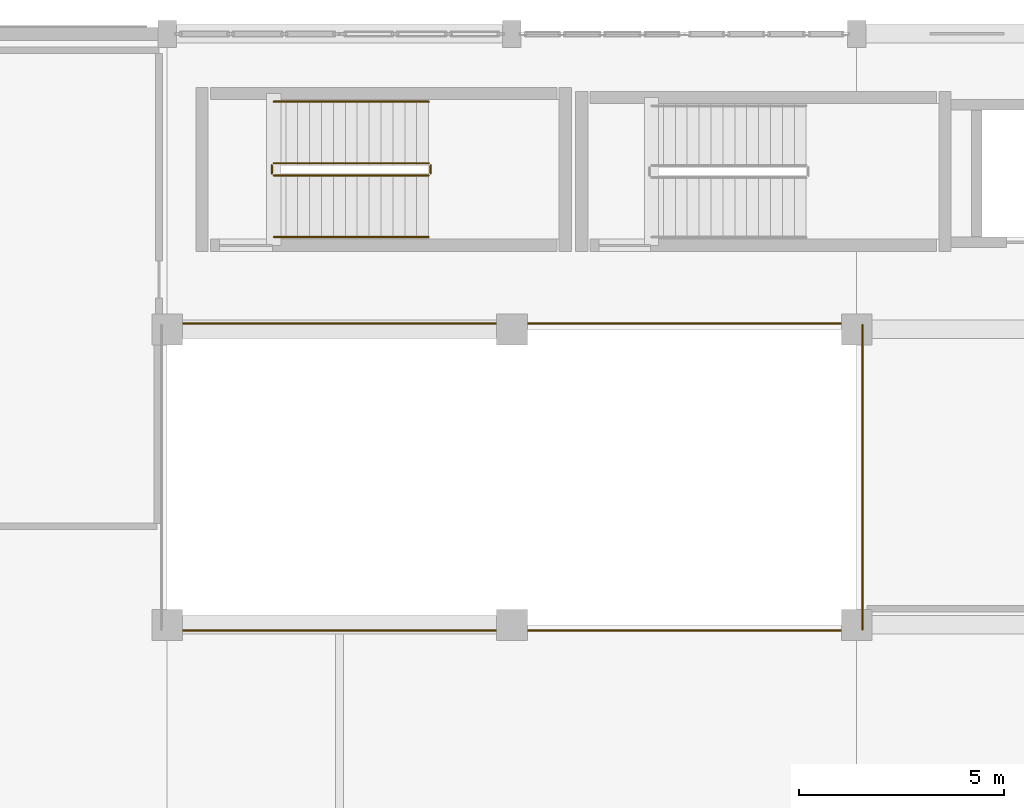
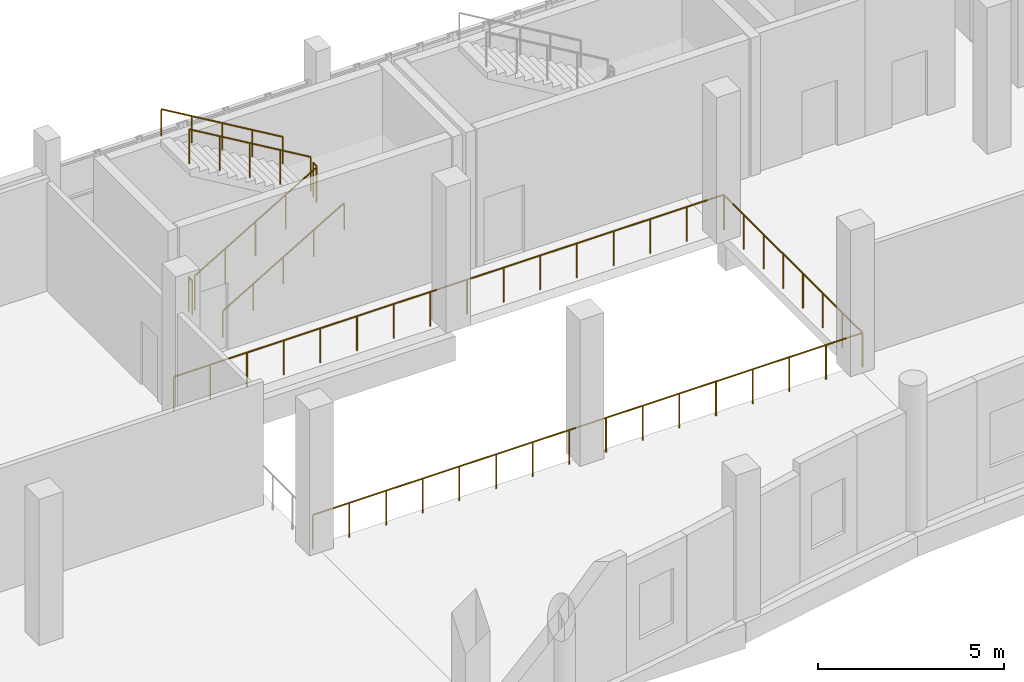
# One storey, part 100 of 106: 9 railings.
"""IFC4 building model written with IfcOpenShell, lengths in metres."""

from ifc_helpers import new_model, si_unit, direction, frame, origin, origin_2d, place, context, subcontext, project, spatial, circle, extrude, material, type_object, element, save


model = new_model("IFC4")

# Units and contexts
model_context = context("Model", 3, precision=1e-05, world=origin(), true_north=direction((0.0, 1.0)))
body_context = subcontext(model_context, "Body", "Model", "MODEL_VIEW")
ifc_project = project(units=[si_unit("LENGTHUNIT", "METRE"), si_unit("AREAUNIT", "SQUARE_METRE"), si_unit("VOLUMEUNIT", "CUBIC_METRE"), si_unit("PLANEANGLEUNIT", "RADIAN"), si_unit("MASSUNIT", "GRAM", prefix="KILO")], contexts=[model_context])

# Site, building, storey
site_placement = place(None, origin())
site = spatial("IfcSite", under=ifc_project, at=site_placement, CompositionType="ELEMENT")
building_placement = place(site_placement, origin())
building = spatial("IfcBuilding", under=site, at=building_placement, Name="Kisaragi Civic Commons", CompositionType="ELEMENT")
storey_placement = place(building_placement, frame((0.0, 0.0, 4.800048828125)))
storey = spatial("IfcBuildingStorey", under=building, at=storey_placement, Name="L01", CompositionType="ELEMENT", Elevation=4.800048828125)

# Railings
ifc_material = material(Name="Powder-coated architectural steel and hinoki cap rail", Category="steel")
railing_type_1 = type_object("IfcRailingType", Name="GRD-I1", PredefinedType="GUARDRAIL", material=ifc_material)
railing_1_placement = place(storey_placement, frame((88.659912109375, 104.260009765625, 0.0)))
element("IfcRailing", 1, at=railing_1_placement, inside=storey, type_object=railing_type_1, Name="V4 L01 gallery void guardrail 13", PredefinedType="GUARDRAIL", context=body_context, shape_type="SweptSolid", body=[
    extrude(circle(Radius=0.02392578125, at=origin_2d()), frame((0.0, 0.0, 1.1259765625), z_axis=(1.0, 0.0, 0.0), x_axis=(0.0, 1.0, 0.0)), (0.0, 0.0, 1.0), 17.080078125),
    extrude(circle(Radius=0.02099609375, at=origin_2d()), origin(), (0.0, 0.0, 1.0), 1.101806640625),
    extrude(circle(Radius=0.02099609375, at=origin_2d()), frame((1.138671875, 0.0, 0.0)), (0.0, 0.0, 1.0), 1.101806640625),
    extrude(circle(Radius=0.02099609375, at=origin_2d()), frame((2.27734375, 0.0, 0.0)), (0.0, 0.0, 1.0), 1.101806640625),
    extrude(circle(Radius=0.02099609375, at=origin_2d()), frame((3.416015625, 0.0, 0.0)), (0.0, 0.0, 1.0), 1.101806640625),
    extrude(circle(Radius=0.02099609375, at=origin_2d()), frame((4.5546875, 0.0, 0.0)), (0.0, 0.0, 1.0), 1.101806640625),
    extrude(circle(Radius=0.02099609375, at=origin_2d()), frame((5.693359375, 0.0, 0.0)), (0.0, 0.0, 1.0), 1.101806640625),
    extrude(circle(Radius=0.02099609375, at=origin_2d()), frame((6.83203125, 0.0, 0.0)), (0.0, 0.0, 1.0), 1.101806640625),
    extrude(circle(Radius=0.02099609375, at=origin_2d()), frame((7.970703125, 0.0, 0.0)), (0.0, 0.0, 1.0), 1.101806640625),
    extrude(circle(Radius=0.02099609375, at=origin_2d()), frame((9.109375, 0.0, 0.0)), (0.0, 0.0, 1.0), 1.101806640625),
    extrude(circle(Radius=0.02099609375, at=origin_2d()), frame((10.248046875, 0.0, 0.0)), (0.0, 0.0, 1.0), 1.101806640625),
    extrude(circle(Radius=0.02099609375, at=origin_2d()), frame((11.38671875, 0.0, 0.0)), (0.0, 0.0, 1.0), 1.101806640625),
    extrude(circle(Radius=0.02099609375, at=origin_2d()), frame((12.525390625, 0.0, 0.0)), (0.0, 0.0, 1.0), 1.101806640625),
    extrude(circle(Radius=0.02099609375, at=origin_2d()), frame((13.6640625, 0.0, 0.0)), (0.0, 0.0, 1.0), 1.101806640625),
    extrude(circle(Radius=0.02099609375, at=origin_2d()), frame((14.802734375, 0.0, 0.0)), (0.0, 0.0, 1.0), 1.101806640625),
    extrude(circle(Radius=0.02099609375, at=origin_2d()), frame((15.94140625, 0.0, 0.0)), (0.0, 0.0, 1.0), 1.101806640625),
    extrude(circle(Radius=0.02099609375, at=origin_2d()), frame((17.080078125, 0.0, 0.0)), (0.0, 0.0, 1.0), 1.101806640625),
])
railing_2_placement = place(storey_placement, frame((105.739990234375, 104.2900390625, 0.0)))
element("IfcRailing", 2, at=railing_2_placement, inside=storey, type_object=railing_type_1, Name="V4 L01 gallery void guardrail 14", PredefinedType="GUARDRAIL", context=body_context, shape_type="SweptSolid", body=[
    extrude(circle(Radius=0.02392578125, at=origin_2d()), frame((0.0, 0.0, 1.1259765625), z_axis=(0.0, 1.0, 0.0), x_axis=(-1.0, 0.0, 0.0)), (0.0, 0.0, 1.0), 7.419921875),
    extrude(circle(Radius=0.02099609375, at=origin_2d()), origin(), (0.0, 0.0, 1.0), 1.101806640625),
    extrude(circle(Radius=0.02099609375, at=origin_2d()), frame((0.0, 1.06005859375, 0.0)), (0.0, 0.0, 1.0), 1.101806640625),
    extrude(circle(Radius=0.02099609375, at=origin_2d()), frame((0.0, 2.119873046875, 0.0)), (0.0, 0.0, 1.0), 1.101806640625),
    extrude(circle(Radius=0.02099609375, at=origin_2d()), frame((0.0, 3.179931640625, 0.0)), (0.0, 0.0, 1.0), 1.101806640625),
    extrude(circle(Radius=0.02099609375, at=origin_2d()), frame((0.0, 4.239990234375, 0.0)), (0.0, 0.0, 1.0), 1.101806640625),
    extrude(circle(Radius=0.02099609375, at=origin_2d()), frame((0.0, 5.300048828125, 0.0)), (0.0, 0.0, 1.0), 1.101806640625),
    extrude(circle(Radius=0.02099609375, at=origin_2d()), frame((0.0, 6.35986328125, 0.0)), (0.0, 0.0, 1.0), 1.101806640625),
    extrude(circle(Radius=0.02099609375, at=origin_2d()), frame((0.0, 7.419921875, 0.0)), (0.0, 0.0, 1.0), 1.101806640625),
])
railing_3_placement = place(storey_placement, frame((105.739990234375, 111.739990234375, 0.0)))
element("IfcRailing", 3, at=railing_3_placement, inside=storey, type_object=railing_type_1, Name="V4 L01 gallery void guardrail 15", PredefinedType="GUARDRAIL", context=body_context, shape_type="SweptSolid", body=[
    extrude(circle(Radius=0.02392578125, at=origin_2d()), frame((0.0, 0.0, 1.1259765625), z_axis=(-1.0, 0.0, 0.0), x_axis=(0.0, -1.0, 0.0)), (0.0, 0.0, 1.0), 17.080078125),
    extrude(circle(Radius=0.02099609375, at=origin_2d()), origin(), (0.0, 0.0, 1.0), 1.101806640625),
    extrude(circle(Radius=0.02099609375, at=origin_2d()), frame((-1.138671875, 0.0, 0.0)), (0.0, 0.0, 1.0), 1.101806640625),
    extrude(circle(Radius=0.02099609375, at=origin_2d()), frame((-2.27734375, 0.0, 0.0)), (0.0, 0.0, 1.0), 1.101806640625),
    extrude(circle(Radius=0.02099609375, at=origin_2d()), frame((-3.416015625, 0.0, 0.0)), (0.0, 0.0, 1.0), 1.101806640625),
    extrude(circle(Radius=0.02099609375, at=origin_2d()), frame((-4.5546875, 0.0, 0.0)), (0.0, 0.0, 1.0), 1.101806640625),
    extrude(circle(Radius=0.02099609375, at=origin_2d()), frame((-5.693359375, 0.0, 0.0)), (0.0, 0.0, 1.0), 1.101806640625),
    extrude(circle(Radius=0.02099609375, at=origin_2d()), frame((-6.83203125, 0.0, 0.0)), (0.0, 0.0, 1.0), 1.101806640625),
    extrude(circle(Radius=0.02099609375, at=origin_2d()), frame((-7.970703125, 0.0, 0.0)), (0.0, 0.0, 1.0), 1.101806640625),
    extrude(circle(Radius=0.02099609375, at=origin_2d()), frame((-9.109375, 0.0, 0.0)), (0.0, 0.0, 1.0), 1.101806640625),
    extrude(circle(Radius=0.02099609375, at=origin_2d()), frame((-10.248046875, 0.0, 0.0)), (0.0, 0.0, 1.0), 1.101806640625),
    extrude(circle(Radius=0.02099609375, at=origin_2d()), frame((-11.38671875, 0.0, 0.0)), (0.0, 0.0, 1.0), 1.101806640625),
    extrude(circle(Radius=0.02099609375, at=origin_2d()), frame((-12.525390625, 0.0, 0.0)), (0.0, 0.0, 1.0), 1.101806640625),
    extrude(circle(Radius=0.02099609375, at=origin_2d()), frame((-13.6640625, 0.0, 0.0)), (0.0, 0.0, 1.0), 1.101806640625),
    extrude(circle(Radius=0.02099609375, at=origin_2d()), frame((-14.802734375, 0.0, 0.0)), (0.0, 0.0, 1.0), 1.101806640625),
    extrude(circle(Radius=0.02099609375, at=origin_2d()), frame((-15.94140625, 0.0, 0.0)), (0.0, 0.0, 1.0), 1.101806640625),
    extrude(circle(Radius=0.02099609375, at=origin_2d()), frame((-17.080078125, 0.0, 0.0)), (0.0, 0.0, 1.0), 1.101806640625),
])
railing_type_2 = type_object("IfcRailingType", Name="GRD-S1", PredefinedType="GUARDRAIL", material=ifc_material)
railing_4_placement = place(storey_placement, frame((91.39990234375, 115.35009765625, 0.17138671875)))
element("IfcRailing", 4, at=railing_4_placement, inside=storey, type_object=railing_type_2, Name="L01 ST-L4 stair guard 1", PredefinedType="GUARDRAIL", context=body_context, shape_type="SweptSolid", body=[
    extrude(circle(Radius=0.02392578125, at=origin_2d()), frame((0.0, 0.0, 1.1259765625), z_axis=(0.860848830602, 0.0, 0.508860777473), x_axis=(0.0, 1.0, 0.0)), (0.0, 0.0, 1.0), 4.37939453125),
    extrude(circle(Radius=0.02099609375, at=origin_2d()), origin(), (0.0, 0.0, 1.0), 1.101806640625),
    extrude(circle(Radius=0.02099609375, at=origin_2d()), frame((0.9423828125, 0.0, 0.55712890625)), (0.0, 0.0, 1.0), 1.101806640625),
    extrude(circle(Radius=0.02099609375, at=origin_2d()), frame((1.885009765625, 0.0, 1.1142578125)), (0.0, 0.0, 1.0), 1.101806640625),
    extrude(circle(Radius=0.02099609375, at=origin_2d()), frame((2.82763671875, 0.0, 1.67138671875)), (0.0, 0.0, 1.0), 1.101806640625),
    extrude(circle(Radius=0.02099609375, at=origin_2d()), frame((3.77001953125, 0.0, 2.228515625)), (0.0, 0.0, 1.0), 1.101806640625),
])
railing_5_placement = place(storey_placement, frame((95.219970703125, 115.39990234375, 2.39990234375)))
element("IfcRailing", 5, at=railing_5_placement, inside=storey, type_object=railing_type_2, Name="L01 ST-L4 stair guard 2", PredefinedType="GUARDRAIL", context=body_context, shape_type="SweptSolid", body=[
    extrude(circle(Radius=0.02392578125, at=origin_2d()), frame((0.0, 0.0, 1.1259765625), z_axis=(0.0, 1.0, 0.0), x_axis=(-1.0, 0.0, 0.0)), (0.0, 0.0, 1.0), 0.2001953125),
    extrude(circle(Radius=0.02099609375, at=origin_2d()), origin(), (0.0, 0.0, 1.0), 1.101806640625),
    extrude(circle(Radius=0.02099609375, at=origin_2d()), frame((0.0, 0.2001953125, 0.0)), (0.0, 0.0, 1.0), 1.101806640625),
])
railing_6_placement = place(storey_placement, frame((95.169921875, 115.64990234375, 2.5712890625)))
element("IfcRailing", 6, at=railing_6_placement, inside=storey, type_object=railing_type_2, Name="L01 ST-L4 stair guard 3", PredefinedType="GUARDRAIL", context=body_context, shape_type="SweptSolid", body=[
    extrude(circle(Radius=0.02392578125, at=origin_2d()), frame((0.0, 0.0, 1.1259765625), z_axis=(-0.860824410104, 0.0, 0.508902087802), x_axis=(0.0, -1.0, 0.0)), (0.0, 0.0, 1.0), 4.379638671875),
    extrude(circle(Radius=0.02099609375, at=origin_2d()), origin(), (0.0, 0.0, 1.0), 1.101806640625),
    extrude(circle(Radius=0.02099609375, at=origin_2d()), frame((-0.9423828125, 0.0, 0.55712890625)), (0.0, 0.0, 1.0), 1.101806640625),
    extrude(circle(Radius=0.02099609375, at=origin_2d()), frame((-1.885009765625, 0.0, 1.1142578125)), (0.0, 0.0, 1.0), 1.101806640625),
    extrude(circle(Radius=0.02099609375, at=origin_2d()), frame((-2.82763671875, 0.0, 1.671630859375)), (0.0, 0.0, 1.0), 1.101806640625),
    extrude(circle(Radius=0.02099609375, at=origin_2d()), frame((-3.77001953125, 0.0, 2.228759765625)), (0.0, 0.0, 1.0), 1.101806640625),
])
railing_7_placement = place(storey_placement, frame((91.35009765625, 115.39990234375, 0.0)))
element("IfcRailing", 7, at=railing_7_placement, inside=storey, type_object=railing_type_2, Name="L01 ST-L4 stair guard 4", PredefinedType="GUARDRAIL", context=body_context, shape_type="SweptSolid", body=[
    extrude(circle(Radius=0.02392578125, at=origin_2d()), frame((0.0, 0.0, 1.1259765625), z_axis=(0.0, 1.0, 0.0), x_axis=(-1.0, 0.0, 0.0)), (0.0, 0.0, 1.0), 0.2001953125),
    extrude(circle(Radius=0.02099609375, at=origin_2d()), origin(), (0.0, 0.0, 1.0), 1.101806640625),
    extrude(circle(Radius=0.02099609375, at=origin_2d()), frame((0.0, 0.2001953125, 0.0)), (0.0, 0.0, 1.0), 1.101806640625),
])
railing_type_3 = type_object("IfcRailingType", Name="HRL-01", PredefinedType="HANDRAIL", material=ifc_material)
railing_8_placement = place(storey_placement, frame((91.39990234375, 113.85009765625, 0.17138671875)))
element("IfcRailing", 8, at=railing_8_placement, inside=storey, type_object=railing_type_3, Name="L01 ST-L4 stair handrail 1", PredefinedType="HANDRAIL", context=body_context, shape_type="SweptSolid", body=[
    extrude(circle(Radius=0.02392578125, at=origin_2d()), frame((0.0, 0.0, 0.8759765625), z_axis=(0.860848830602, 0.0, 0.508860777473), x_axis=(0.0, 1.0, 0.0)), (0.0, 0.0, 1.0), 4.37939453125),
    extrude(circle(Radius=0.02099609375, at=origin_2d()), origin(), (0.0, 0.0, 1.0), 0.851806640625),
    extrude(circle(Radius=0.02099609375, at=origin_2d()), frame((0.9423828125, 0.0, 0.55712890625)), (0.0, 0.0, 1.0), 0.851806640625),
    extrude(circle(Radius=0.02099609375, at=origin_2d()), frame((1.885009765625, 0.0, 1.1142578125)), (0.0, 0.0, 1.0), 0.851806640625),
    extrude(circle(Radius=0.02099609375, at=origin_2d()), frame((2.82763671875, 0.0, 1.67138671875)), (0.0, 0.0, 1.0), 0.851806640625),
    extrude(circle(Radius=0.02099609375, at=origin_2d()), frame((3.77001953125, 0.0, 2.228515625)), (0.0, 0.0, 1.0), 0.851806640625),
])
railing_9_placement = place(storey_placement, frame((95.169921875, 117.14990234375, 2.5712890625)))
element("IfcRailing", 9, at=railing_9_placement, inside=storey, type_object=railing_type_3, Name="L01 ST-L4 stair handrail 2", PredefinedType="HANDRAIL", context=body_context, shape_type="SweptSolid", body=[
    extrude(circle(Radius=0.02392578125, at=origin_2d()), frame((0.0, 0.0, 0.8759765625), z_axis=(-0.860824410104, 0.0, 0.508902087802), x_axis=(0.0, -1.0, 0.0)), (0.0, 0.0, 1.0), 4.379638671875),
    extrude(circle(Radius=0.02099609375, at=origin_2d()), origin(), (0.0, 0.0, 1.0), 0.851806640625),
    extrude(circle(Radius=0.02099609375, at=origin_2d()), frame((-0.9423828125, 0.0, 0.55712890625)), (0.0, 0.0, 1.0), 0.851806640625),
    extrude(circle(Radius=0.02099609375, at=origin_2d()), frame((-1.885009765625, 0.0, 1.1142578125)), (0.0, 0.0, 1.0), 0.851806640625),
    extrude(circle(Radius=0.02099609375, at=origin_2d()), frame((-2.82763671875, 0.0, 1.671630859375)), (0.0, 0.0, 1.0), 0.851806640625),
    extrude(circle(Radius=0.02099609375, at=origin_2d()), frame((-3.77001953125, 0.0, 2.228759765625)), (0.0, 0.0, 1.0), 0.851806640625),
])

save(model, "model.ifc")
